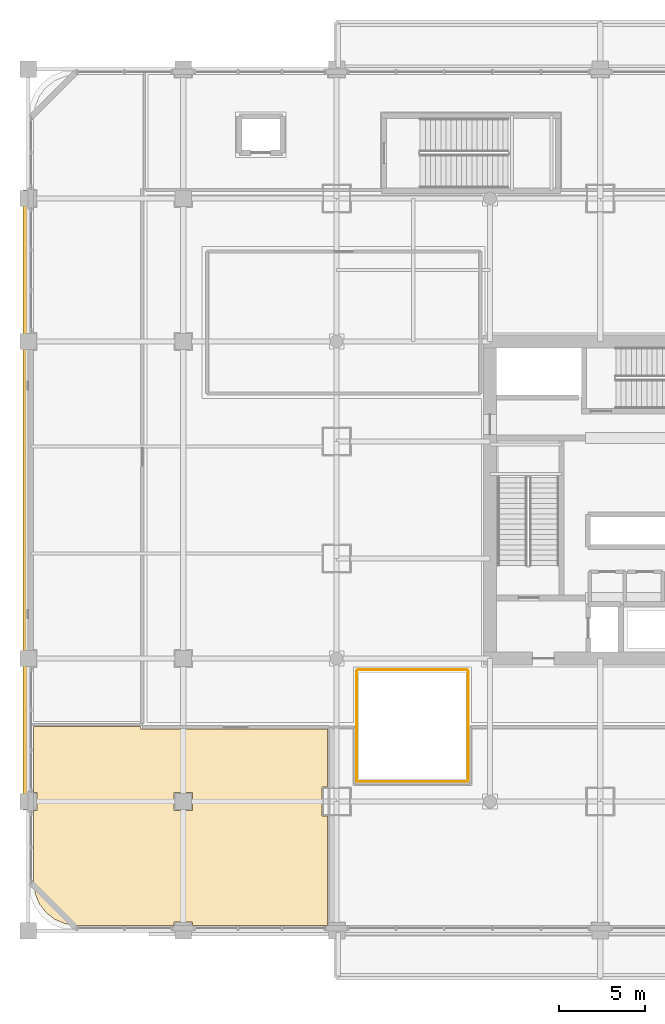
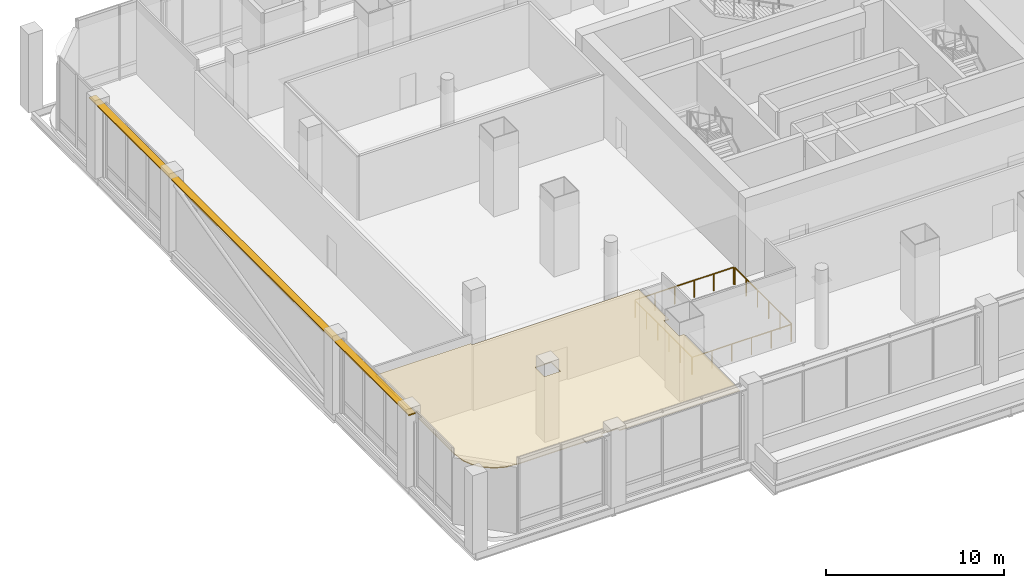
# One storey, part 33 of 43: 4 railings, 1 covering, 1 shading device.
"""IFC4 building model written with IfcOpenShell, lengths in metres."""

from ifc_helpers import new_model, si_unit, direction, frame, origin, origin_2d, place, context, subcontext, project, spatial, polyline, rectangle, circle, outline, extrude, material, layer, layer_set, material_profile, profile_set, type_object, element, save


model = new_model("IFC4")

# Units and contexts
model_context = context("Model", 3, precision=1e-05, world=origin(), true_north=direction((0.0, 1.0)))
body_context = subcontext(model_context, "Body", "Model", "MODEL_VIEW")
ifc_project = project(units=[si_unit("LENGTHUNIT", "METRE"), si_unit("AREAUNIT", "SQUARE_METRE"), si_unit("VOLUMEUNIT", "CUBIC_METRE"), si_unit("PLANEANGLEUNIT", "RADIAN"), si_unit("MASSUNIT", "GRAM", prefix="KILO")], contexts=[model_context])

# Site, building, storey
site_placement = place(None, origin())
site = spatial("IfcSite", under=ifc_project, at=site_placement, CompositionType="ELEMENT")
building_placement = place(site_placement, origin())
building = spatial("IfcBuilding", under=site, at=building_placement, Name="Punatoya Terracotta Tower", CompositionType="ELEMENT")
storey_placement = place(building_placement, frame((0.0, 0.0, 6.0)))
storey = spatial("IfcBuildingStorey", under=building, at=storey_placement, Name="L01", CompositionType="ELEMENT", Elevation=6.0)

# Covering
ifc_material_1 = material(Name="Acoustic Mineral Fibre Ceiling")
ifc_layer = layer(ifc_material_1, 0.06005859375)
ifc_layer_set = layer_set([ifc_layer], Name="Acoustic Mineral Fibre Ceiling")
covering_type = type_object("IfcCoveringType", Name="COV-CEIL-60", PredefinedType="CEILING", material=ifc_layer_set)
covering_placement = place(storey_placement, frame((0.0, 0.0, 4.510009765625)))
element("IfcCovering", 1, at=covering_placement, inside=storey, type_object=covering_type, Name="L01 South-West Plenary Seminar Suite Acoustic Ceiling", PredefinedType="CEILING", context=body_context, shape_type="SweptSolid", body=[
    extrude(outline(polyline([(-27.47509765625, -24.47509765625), (-27.47509765625, -24.679931640625), (-19.639892578125, -24.679931640625), (-19.639892578125, -18.35009765625), (-19.949951171875, -18.35009765625), (-19.949951171875, -16.64990234375), (-19.639892578125, -16.64990234375), (-19.639892578125, -13.280029296875), (-30.47998046875, -13.280029296875), (-30.47998046875, -13.139892578125), (-36.679931640625, -13.139892578125), (-36.679931640625, -16.97509765625), (-36.47509765625, -16.97509765625), (-36.47509765625, -18.02490234375), (-36.679931640625, -18.02490234375), (-36.679931640625, -22.178955078125), (-36.5927734375, -22.84130859375), (-36.345458984375, -23.438720703125), (-35.95166015625, -23.95166015625), (-35.438720703125, -24.345458984375), (-34.84130859375, -24.5927734375), (-34.178955078125, -24.679931640625), (-28.52490234375, -24.679931640625), (-28.52490234375, -24.47509765625), (-27.47509765625, -24.47509765625)]), holes=[polyline([(-28.52490234375, -16.97509765625), (-27.47509765625, -16.97509765625), (-27.47509765625, -18.02490234375), (-28.52490234375, -18.02490234375), (-28.52490234375, -16.97509765625)])]), origin(), (0.0, 0.0, 1.0), 0.06005859375),
])

# Railings
ifc_material_2 = material(Name="Steel S355", Category="steel")
railing_type = type_object("IfcRailingType", Name="RLG-BAL-1200", PredefinedType="BALUSTRADE", material=ifc_material_2)
railing_1_placement = place(storey_placement, frame((-17.93994140625, -16.340087890625, 0.0)))
element("IfcRailing", 2, at=railing_1_placement, inside=storey, type_object=railing_type, Name="L01 Podium Atrium S Balustrade", PredefinedType="BALUSTRADE", context=body_context, shape_type="SweptSolid", body=[
    extrude(circle(Radius=0.02392578125, at=origin_2d()), frame((0.0, 0.0, 1.17578125), z_axis=(1.0, 0.0, 0.0), x_axis=(0.0, 1.0, 0.0)), (0.0, 0.0, 1.0), 6.419921875),
    extrude(circle(Radius=0.02099609375, at=origin_2d()), origin(), (0.0, 0.0, 1.0), 1.15185546875),
    extrude(circle(Radius=0.02099609375, at=origin_2d()), frame((1.283935546875, 0.0, 0.0)), (0.0, 0.0, 1.0), 1.15185546875),
    extrude(circle(Radius=0.02099609375, at=origin_2d()), frame((2.56787109375, 0.0, 0.0)), (0.0, 0.0, 1.0), 1.15185546875),
    extrude(circle(Radius=0.02099609375, at=origin_2d()), frame((3.85205078125, 0.0, 0.0)), (0.0, 0.0, 1.0), 1.15185546875),
    extrude(circle(Radius=0.02099609375, at=origin_2d()), frame((5.135986328125, 0.0, 0.0)), (0.0, 0.0, 1.0), 1.15185546875),
    extrude(circle(Radius=0.02099609375, at=origin_2d()), frame((6.419921875, 0.0, 0.0)), (0.0, 0.0, 1.0), 1.15185546875),
])
railing_2_placement = place(storey_placement, frame((-11.4599609375, -16.280029296875, 0.0)))
element("IfcRailing", 3, at=railing_2_placement, inside=storey, type_object=railing_type, Name="L01 Podium Atrium E Balustrade", PredefinedType="BALUSTRADE", context=body_context, shape_type="SweptSolid", body=[
    extrude(circle(Radius=0.02392578125, at=origin_2d()), frame((0.0, 0.0, 1.17578125), z_axis=(0.0, 1.0, 0.0), x_axis=(-1.0, 0.0, 0.0)), (0.0, 0.0, 1.0), 6.360107421875),
    extrude(circle(Radius=0.02099609375, at=origin_2d()), origin(), (0.0, 0.0, 1.0), 1.15185546875),
    extrude(circle(Radius=0.02099609375, at=origin_2d()), frame((0.0, 1.27197265625, 0.0)), (0.0, 0.0, 1.0), 1.15185546875),
    extrude(circle(Radius=0.02099609375, at=origin_2d()), frame((0.0, 2.5439453125, 0.0)), (0.0, 0.0, 1.0), 1.15185546875),
    extrude(circle(Radius=0.02099609375, at=origin_2d()), frame((0.0, 3.816162109375, 0.0)), (0.0, 0.0, 1.0), 1.15185546875),
    extrude(circle(Radius=0.02099609375, at=origin_2d()), frame((0.0, 5.088134765625, 0.0)), (0.0, 0.0, 1.0), 1.15185546875),
    extrude(circle(Radius=0.02099609375, at=origin_2d()), frame((0.0, 6.360107421875, 0.0)), (0.0, 0.0, 1.0), 1.15185546875),
])
railing_3_placement = place(storey_placement, frame((-11.52001953125, -9.860107421875, 0.0)))
element("IfcRailing", 4, at=railing_3_placement, inside=storey, type_object=railing_type, Name="L01 Podium Atrium N Balustrade", PredefinedType="BALUSTRADE", context=body_context, shape_type="SweptSolid", body=[
    extrude(circle(Radius=0.02392578125, at=origin_2d()), frame((0.0, 0.0, 1.17578125), z_axis=(-1.0, 0.0, 0.0), x_axis=(0.0, -1.0, 0.0)), (0.0, 0.0, 1.0), 6.35986328125),
    extrude(circle(Radius=0.02099609375, at=origin_2d()), origin(), (0.0, 0.0, 1.0), 1.15185546875),
    extrude(circle(Radius=0.02099609375, at=origin_2d()), frame((-1.27197265625, 0.0, 0.0)), (0.0, 0.0, 1.0), 1.15185546875),
    extrude(circle(Radius=0.02099609375, at=origin_2d()), frame((-2.5439453125, 0.0, 0.0)), (0.0, 0.0, 1.0), 1.15185546875),
    extrude(circle(Radius=0.02099609375, at=origin_2d()), frame((-3.81591796875, 0.0, 0.0)), (0.0, 0.0, 1.0), 1.15185546875),
    extrude(circle(Radius=0.02099609375, at=origin_2d()), frame((-5.087890625, 0.0, 0.0)), (0.0, 0.0, 1.0), 1.15185546875),
    extrude(circle(Radius=0.02099609375, at=origin_2d()), frame((-6.35986328125, 0.0, 0.0)), (0.0, 0.0, 1.0), 1.15185546875),
])
railing_4_placement = place(storey_placement, frame((-17.93994140625, -9.919921875, 0.0)))
element("IfcRailing", 5, at=railing_4_placement, inside=storey, type_object=railing_type, Name="L01 Podium Atrium W Balustrade", PredefinedType="BALUSTRADE", context=body_context, shape_type="SweptSolid", body=[
    extrude(circle(Radius=0.02392578125, at=origin_2d()), frame((0.0, 0.0, 1.17578125), z_axis=(0.0, -1.0, 0.0), x_axis=(1.0, 0.0, 0.0)), (0.0, 0.0, 1.0), 6.360107421875),
    extrude(circle(Radius=0.02099609375, at=origin_2d()), origin(), (0.0, 0.0, 1.0), 1.15185546875),
    extrude(circle(Radius=0.02099609375, at=origin_2d()), frame((0.0, -1.27197265625, 0.0)), (0.0, 0.0, 1.0), 1.15185546875),
    extrude(circle(Radius=0.02099609375, at=origin_2d()), frame((0.0, -2.5439453125, 0.0)), (0.0, 0.0, 1.0), 1.15185546875),
    extrude(circle(Radius=0.02099609375, at=origin_2d()), frame((0.0, -3.816162109375, 0.0)), (0.0, 0.0, 1.0), 1.15185546875),
    extrude(circle(Radius=0.02099609375, at=origin_2d()), frame((0.0, -5.088134765625, 0.0)), (0.0, 0.0, 1.0), 1.15185546875),
    extrude(circle(Radius=0.02099609375, at=origin_2d()), frame((0.0, -6.360107421875, 0.0)), (0.0, 0.0, 1.0), 1.15185546875),
])

# Shading device
ifc_material_3 = material(Name="Architectural Fired Terracotta", Category="masonry")
ifc_material_profile = material_profile(ifc_material_3, rectangle(XDim=0.449951171875, YDim=0.080078125, at=origin_2d()))
ifc_profile_set = profile_set([ifc_material_profile], Name="Architectural Fired Terracotta")
shading_device_type = type_object("IfcShadingDeviceType", Name="SHD-CHAJ-450", PredefinedType="USERDEFINED", material=ifc_profile_set)
shading_device_placement = place(storey_placement, frame((-37.090087890625, -18.0, 4.969970703125), z_axis=(0.0, 1.0, 0.0), x_axis=(-1.0, 0.0, 0.0)))
element("IfcShadingDevice", 6, at=shading_device_placement, inside=storey, type_object=shading_device_type, Name="L01 Projecting Terracotta Chhajja Sunshade 2", ObjectType="SUNSHADE", PredefinedType="USERDEFINED", context=body_context, shape_type="SweptSolid", body=[
    extrude(rectangle(XDim=0.449951171875, YDim=0.080078125, at=origin_2d()), origin(), (0.0, 0.0, 1.0), 36.0),
])

save(model, "model.ifc")
